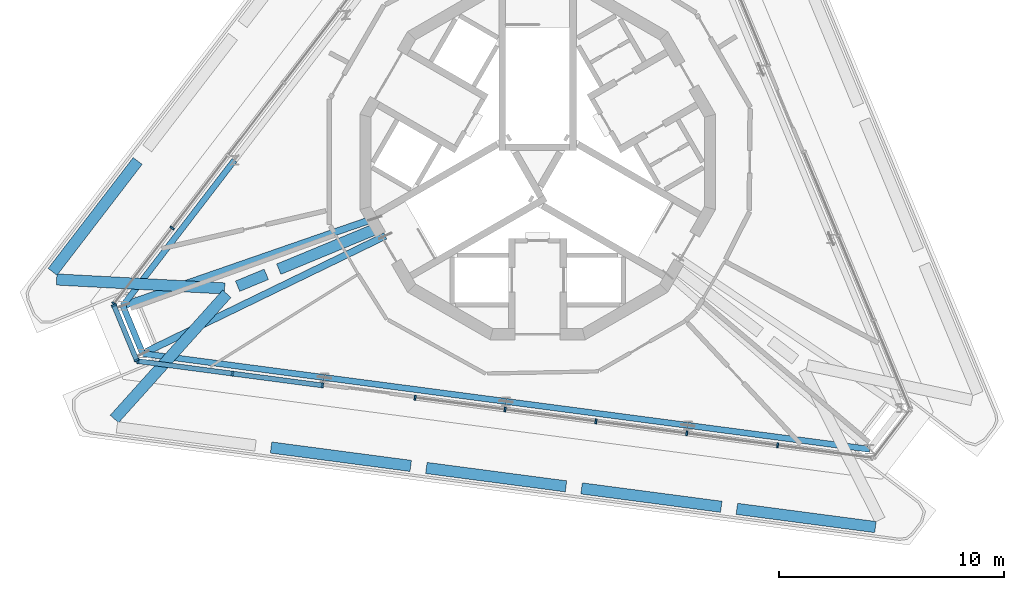
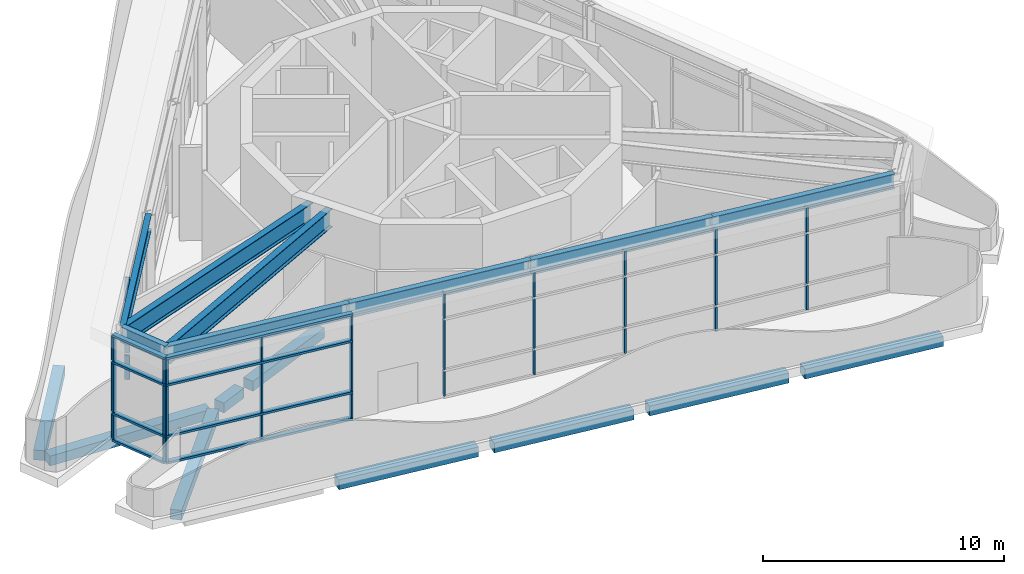
# One storey, part 2 of 10: 44 members, 17 beams, 4 elements without a shape of their own.
"""IFC4 building model written with IfcOpenShell, lengths in metres."""

from ifc_helpers import new_model, si_unit, direction, frame, origin, origin_2d, place, context, subcontext, project, spatial, rectangle, i_section, extrude, material, layer, layer_set, material_profile, profile_set, type_object, element, aggregate, save


model = new_model("IFC4")

# Units and contexts
model_context = context("Model", 3, precision=1e-05, world=origin(), true_north=direction((0.0, 1.0)))
body_context = subcontext(model_context, "Body", "Model", "MODEL_VIEW")
ifc_project = project(units=[si_unit("LENGTHUNIT", "METRE"), si_unit("AREAUNIT", "SQUARE_METRE"), si_unit("VOLUMEUNIT", "CUBIC_METRE"), si_unit("PLANEANGLEUNIT", "RADIAN"), si_unit("MASSUNIT", "GRAM", prefix="KILO")], contexts=[model_context])

# Site, building, storey
site_placement = place(None, origin())
site = spatial("IfcSite", under=ifc_project, at=site_placement, CompositionType="ELEMENT")
building_placement = place(site_placement, origin())
building = spatial("IfcBuilding", under=site, at=building_placement, Name="Trine Commons Tower", CompositionType="ELEMENT")
storey_placement = place(building_placement, frame((0.0, 0.0, 300.60009765625)))
storey = spatial("IfcBuildingStorey", under=building, at=storey_placement, Name="CROWN", CompositionType="ELEMENT", Elevation=300.60009765625)

# Curtain wall, members
ifc_material_1 = material(Name="Crown drum glazing: anodised aluminium frame with low-emissivity double glazed unit, fritted", Category="aluminium")
ifc_layer = layer(ifc_material_1, 0.219970703125)
ifc_layer_set = layer_set([ifc_layer], Name="Crown drum glazing: anodised aluminium frame with low-emissivity double glazed unit, fritted")
curtain_wall_type = type_object("IfcCurtainWallType", Name="Crown drum glazing curtain wall CW6", PredefinedType="NOTDEFINED", material=ifc_layer_set)
curtain_wall_1_placement = place(storey_placement, origin())
curtain_wall_1 = element("IfcCurtainWall", 1, at=curtain_wall_1_placement, inside=storey, type_object=curtain_wall_type, Name="Crown drum glazing D1.1", PredefinedType="NOTDEFINED")
ifc_material_2 = material(Name="Anodised aluminium, natural finish", Category="aluminium")
ifc_material_profile_1 = material_profile(ifc_material_2, rectangle(XDim=0.219970703125, YDim=0.080078125, at=origin_2d()), Name="Mullion 80x220")
ifc_profile_set_1 = profile_set([ifc_material_profile_1], Name="Anodised aluminium, natural finish")
member_type_1 = type_object("IfcMemberType", Name="Mullion 80x220, Anodised aluminium, natural finish", PredefinedType="MULLION", material=ifc_profile_set_1)
member_1_placement = place(storey_placement, frame((62.19970703125, 53.63037109375, 0.10986328125), z_axis=(0.0, 0.0, 1.0), x_axis=(0.13052619222, 0.991444861374, 0.0)))
member_1 = element("IfcMember", 2, at=member_1_placement, type_object=member_type_1, Name="CW6 mullion 1.1", PredefinedType="MULLION", context=body_context, shape_type="SweptSolid", body=[
    extrude(rectangle(XDim=0.219970703125, YDim=0.080078125, at=origin_2d()), origin(), (0.0, 0.0, 1.0), 1.235107421875),
])
member_2_placement = place(storey_placement, frame((62.19970703125, 53.63037109375, 1.454833984375), z_axis=(0.0, 0.0, 1.0), x_axis=(0.13052619222, 0.991444861374, 0.0)))
member_2 = element("IfcMember", 3, at=member_2_placement, type_object=member_type_1, Name="CW6 mullion 1.2", PredefinedType="MULLION", context=body_context, shape_type="SweptSolid", body=[
    extrude(rectangle(XDim=0.219970703125, YDim=0.080078125, at=origin_2d()), origin(), (0.0, 0.0, 1.0), 2.489990234375),
])
member_3_placement = place(storey_placement, frame((62.19970703125, 53.63037109375, 4.054931640625), z_axis=(0.0, 0.0, 1.0), x_axis=(0.13052619222, 0.991444861374, 0.0)))
member_3 = element("IfcMember", 4, at=member_3_placement, type_object=member_type_1, Name="CW6 mullion 1.3", PredefinedType="MULLION", context=body_context, shape_type="SweptSolid", body=[
    extrude(rectangle(XDim=0.219970703125, YDim=0.080078125, at=origin_2d()), origin(), (0.0, 0.0, 1.0), 1.23486328125),
])
member_4_placement = place(storey_placement, frame((66.411865234375, 53.075927734375, 0.10986328125), z_axis=(0.0, 0.0, 1.0), x_axis=(0.13052619222, 0.991444861374, 0.0)))
member_4 = element("IfcMember", 5, at=member_4_placement, type_object=member_type_1, Name="CW6 mullion 2.1", PredefinedType="MULLION", context=body_context, shape_type="SweptSolid", body=[
    extrude(rectangle(XDim=0.219970703125, YDim=0.080078125, at=origin_2d()), origin(), (0.0, 0.0, 1.0), 1.235107421875),
])
member_5_placement = place(storey_placement, frame((66.411865234375, 53.075927734375, 1.454833984375), z_axis=(0.0, 0.0, 1.0), x_axis=(0.13052619222, 0.991444861374, 0.0)))
member_5 = element("IfcMember", 6, at=member_5_placement, type_object=member_type_1, Name="CW6 mullion 2.2", PredefinedType="MULLION", context=body_context, shape_type="SweptSolid", body=[
    extrude(rectangle(XDim=0.219970703125, YDim=0.080078125, at=origin_2d()), origin(), (0.0, 0.0, 1.0), 2.489990234375),
])
member_6_placement = place(storey_placement, frame((66.411865234375, 53.075927734375, 4.054931640625), z_axis=(0.0, 0.0, 1.0), x_axis=(0.13052619222, 0.991444861374, 0.0)))
member_6 = element("IfcMember", 7, at=member_6_placement, type_object=member_type_1, Name="CW6 mullion 2.3", PredefinedType="MULLION", context=body_context, shape_type="SweptSolid", body=[
    extrude(rectangle(XDim=0.219970703125, YDim=0.080078125, at=origin_2d()), origin(), (0.0, 0.0, 1.0), 1.23486328125),
])
member_7_placement = place(storey_placement, frame((70.41796875, 52.548583984375, 0.10986328125), z_axis=(0.0, 0.0, 1.0), x_axis=(0.13052619222, 0.991444861374, 0.0)))
member_7 = element("IfcMember", 8, at=member_7_placement, type_object=member_type_1, Name="CW6 mullion 3.1", PredefinedType="MULLION", context=body_context, shape_type="SweptSolid", body=[
    extrude(rectangle(XDim=0.219970703125, YDim=0.080078125, at=origin_2d()), origin(), (0.0, 0.0, 1.0), 1.235107421875),
])
member_8_placement = place(storey_placement, frame((70.41796875, 52.548583984375, 1.454833984375), z_axis=(0.0, 0.0, 1.0), x_axis=(0.13052619222, 0.991444861374, 0.0)))
member_8 = element("IfcMember", 9, at=member_8_placement, type_object=member_type_1, Name="CW6 mullion 3.2", PredefinedType="MULLION", context=body_context, shape_type="SweptSolid", body=[
    extrude(rectangle(XDim=0.219970703125, YDim=0.080078125, at=origin_2d()), origin(), (0.0, 0.0, 1.0), 2.489990234375),
])
member_9_placement = place(storey_placement, frame((70.41796875, 52.548583984375, 4.054931640625), z_axis=(0.0, 0.0, 1.0), x_axis=(0.13052619222, 0.991444861374, 0.0)))
member_9 = element("IfcMember", 10, at=member_9_placement, type_object=member_type_1, Name="CW6 mullion 3.3", PredefinedType="MULLION", context=body_context, shape_type="SweptSolid", body=[
    extrude(rectangle(XDim=0.219970703125, YDim=0.080078125, at=origin_2d()), origin(), (0.0, 0.0, 1.0), 1.23486328125),
])

curtain_wall_2_placement = place(storey_placement, origin())
curtain_wall_2 = element("IfcCurtainWall", 11, at=curtain_wall_2_placement, inside=storey, type_object=curtain_wall_type, Name="Crown drum glazing D1.2", PredefinedType="NOTDEFINED")
member_10_placement = place(storey_placement, frame((74.54296875, 52.00537109375, 0.10986328125), z_axis=(0.0, 0.0, 1.0), x_axis=(0.13052619222, 0.991444861374, 0.0)))
member_10 = element("IfcMember", 12, at=member_10_placement, type_object=member_type_1, Name="CW6 mullion 1.1", PredefinedType="MULLION", context=body_context, shape_type="SweptSolid", body=[
    extrude(rectangle(XDim=0.219970703125, YDim=0.080078125, at=origin_2d()), origin(), (0.0, 0.0, 1.0), 1.235107421875),
])
member_11_placement = place(storey_placement, frame((74.54296875, 52.00537109375, 1.454833984375), z_axis=(0.0, 0.0, 1.0), x_axis=(0.13052619222, 0.991444861374, 0.0)))
member_11 = element("IfcMember", 13, at=member_11_placement, type_object=member_type_1, Name="CW6 mullion 1.2", PredefinedType="MULLION", context=body_context, shape_type="SweptSolid", body=[
    extrude(rectangle(XDim=0.219970703125, YDim=0.080078125, at=origin_2d()), origin(), (0.0, 0.0, 1.0), 2.489990234375),
])
member_12_placement = place(storey_placement, frame((74.54296875, 52.00537109375, 4.054931640625), z_axis=(0.0, 0.0, 1.0), x_axis=(0.13052619222, 0.991444861374, 0.0)))
member_12 = element("IfcMember", 14, at=member_12_placement, type_object=member_type_1, Name="CW6 mullion 1.3", PredefinedType="MULLION", context=body_context, shape_type="SweptSolid", body=[
    extrude(rectangle(XDim=0.219970703125, YDim=0.080078125, at=origin_2d()), origin(), (0.0, 0.0, 1.0), 1.23486328125),
])
member_13_placement = place(storey_placement, frame((78.548828125, 51.47802734375, 0.10986328125), z_axis=(0.0, 0.0, 1.0), x_axis=(0.13052619222, 0.991444861374, 0.0)))
member_13 = element("IfcMember", 15, at=member_13_placement, type_object=member_type_1, Name="CW6 mullion 2.1", PredefinedType="MULLION", context=body_context, shape_type="SweptSolid", body=[
    extrude(rectangle(XDim=0.219970703125, YDim=0.080078125, at=origin_2d()), origin(), (0.0, 0.0, 1.0), 1.235107421875),
])
member_14_placement = place(storey_placement, frame((78.548828125, 51.47802734375, 1.454833984375), z_axis=(0.0, 0.0, 1.0), x_axis=(0.13052619222, 0.991444861374, 0.0)))
member_14 = element("IfcMember", 16, at=member_14_placement, type_object=member_type_1, Name="CW6 mullion 2.2", PredefinedType="MULLION", context=body_context, shape_type="SweptSolid", body=[
    extrude(rectangle(XDim=0.219970703125, YDim=0.080078125, at=origin_2d()), origin(), (0.0, 0.0, 1.0), 2.489990234375),
])
member_15_placement = place(storey_placement, frame((78.548828125, 51.47802734375, 4.054931640625), z_axis=(0.0, 0.0, 1.0), x_axis=(0.13052619222, 0.991444861374, 0.0)))
member_15 = element("IfcMember", 17, at=member_15_placement, type_object=member_type_1, Name="CW6 mullion 2.3", PredefinedType="MULLION", context=body_context, shape_type="SweptSolid", body=[
    extrude(rectangle(XDim=0.219970703125, YDim=0.080078125, at=origin_2d()), origin(), (0.0, 0.0, 1.0), 1.23486328125),
])
member_16_placement = place(storey_placement, frame((82.594482421875, 50.9453125, 0.10986328125), z_axis=(0.0, 0.0, 1.0), x_axis=(0.13052619222, 0.991444861374, 0.0)))
member_16 = element("IfcMember", 18, at=member_16_placement, type_object=member_type_1, Name="CW6 mullion 3.1", PredefinedType="MULLION", context=body_context, shape_type="SweptSolid", body=[
    extrude(rectangle(XDim=0.219970703125, YDim=0.080078125, at=origin_2d()), origin(), (0.0, 0.0, 1.0), 1.235107421875),
])
member_17_placement = place(storey_placement, frame((82.594482421875, 50.9453125, 1.454833984375), z_axis=(0.0, 0.0, 1.0), x_axis=(0.13052619222, 0.991444861374, 0.0)))
member_17 = element("IfcMember", 19, at=member_17_placement, type_object=member_type_1, Name="CW6 mullion 3.2", PredefinedType="MULLION", context=body_context, shape_type="SweptSolid", body=[
    extrude(rectangle(XDim=0.219970703125, YDim=0.080078125, at=origin_2d()), origin(), (0.0, 0.0, 1.0), 2.489990234375),
])
member_18_placement = place(storey_placement, frame((82.594482421875, 50.9453125, 4.054931640625), z_axis=(0.0, 0.0, 1.0), x_axis=(0.13052619222, 0.991444861374, 0.0)))
member_18 = element("IfcMember", 20, at=member_18_placement, type_object=member_type_1, Name="CW6 mullion 3.3", PredefinedType="MULLION", context=body_context, shape_type="SweptSolid", body=[
    extrude(rectangle(XDim=0.219970703125, YDim=0.080078125, at=origin_2d()), origin(), (0.0, 0.0, 1.0), 1.23486328125),
])
member_19_placement = place(storey_placement, frame((86.640380859375, 50.412841796875, 0.10986328125), z_axis=(0.0, 0.0, 1.0), x_axis=(0.13052619222, 0.991444861374, 0.0)))
member_19 = element("IfcMember", 21, at=member_19_placement, type_object=member_type_1, Name="CW6 mullion 4.1", PredefinedType="MULLION", context=body_context, shape_type="SweptSolid", body=[
    extrude(rectangle(XDim=0.219970703125, YDim=0.080078125, at=origin_2d()), origin(), (0.0, 0.0, 1.0), 1.235107421875),
])
member_20_placement = place(storey_placement, frame((86.640380859375, 50.412841796875, 1.454833984375), z_axis=(0.0, 0.0, 1.0), x_axis=(0.13052619222, 0.991444861374, 0.0)))
member_20 = element("IfcMember", 22, at=member_20_placement, type_object=member_type_1, Name="CW6 mullion 4.2", PredefinedType="MULLION", context=body_context, shape_type="SweptSolid", body=[
    extrude(rectangle(XDim=0.219970703125, YDim=0.080078125, at=origin_2d()), origin(), (0.0, 0.0, 1.0), 2.489990234375),
])
member_21_placement = place(storey_placement, frame((86.640380859375, 50.412841796875, 4.054931640625), z_axis=(0.0, 0.0, 1.0), x_axis=(0.13052619222, 0.991444861374, 0.0)))
member_21 = element("IfcMember", 23, at=member_21_placement, type_object=member_type_1, Name="CW6 mullion 4.3", PredefinedType="MULLION", context=body_context, shape_type="SweptSolid", body=[
    extrude(rectangle(XDim=0.219970703125, YDim=0.080078125, at=origin_2d()), origin(), (0.0, 0.0, 1.0), 1.23486328125),
])
member_22_placement = place(storey_placement, frame((90.68603515625, 49.880126953125, 0.10986328125), z_axis=(0.0, 0.0, 1.0), x_axis=(0.13052619222, 0.991444861374, 0.0)))
member_22 = element("IfcMember", 24, at=member_22_placement, type_object=member_type_1, Name="CW6 mullion 5.1", PredefinedType="MULLION", context=body_context, shape_type="SweptSolid", body=[
    extrude(rectangle(XDim=0.219970703125, YDim=0.080078125, at=origin_2d()), origin(), (0.0, 0.0, 1.0), 1.235107421875),
])
member_23_placement = place(storey_placement, frame((90.68603515625, 49.880126953125, 1.454833984375), z_axis=(0.0, 0.0, 1.0), x_axis=(0.13052619222, 0.991444861374, 0.0)))
member_23 = element("IfcMember", 25, at=member_23_placement, type_object=member_type_1, Name="CW6 mullion 5.2", PredefinedType="MULLION", context=body_context, shape_type="SweptSolid", body=[
    extrude(rectangle(XDim=0.219970703125, YDim=0.080078125, at=origin_2d()), origin(), (0.0, 0.0, 1.0), 2.489990234375),
])
member_24_placement = place(storey_placement, frame((90.68603515625, 49.880126953125, 4.054931640625), z_axis=(0.0, 0.0, 1.0), x_axis=(0.13052619222, 0.991444861374, 0.0)))
member_24 = element("IfcMember", 26, at=member_24_placement, type_object=member_type_1, Name="CW6 mullion 5.3", PredefinedType="MULLION", context=body_context, shape_type="SweptSolid", body=[
    extrude(rectangle(XDim=0.219970703125, YDim=0.080078125, at=origin_2d()), origin(), (0.0, 0.0, 1.0), 1.23486328125),
])
aggregate(curtain_wall_2, [member_10, member_11, member_12, member_13, member_14, member_15, member_16, member_17, member_18, member_19, member_20, member_21, member_22, member_23, member_24])

curtain_wall_3_placement = place(storey_placement, origin())
curtain_wall_3 = element("IfcCurtainWall", 27, at=curtain_wall_3_placement, inside=storey, type_object=curtain_wall_type, Name="Crown drum glazing D5.2", PredefinedType="NOTDEFINED")
member_25_placement = place(storey_placement, frame((63.727783203125, 59.5556640625, 0.10986328125), z_axis=(0.0, 0.0, 1.0), x_axis=(0.793353340291, -0.608761429009, 0.0)))
member_25 = element("IfcMember", 28, at=member_25_placement, type_object=member_type_1, Name="CW6 mullion 5.1", PredefinedType="MULLION", context=body_context, shape_type="SweptSolid", body=[
    extrude(rectangle(XDim=0.219970703125, YDim=0.080078125, at=origin_2d()), origin(), (0.0, 0.0, 1.0), 1.235107421875),
])
member_26_placement = place(storey_placement, frame((63.727783203125, 59.5556640625, 1.454833984375), z_axis=(0.0, 0.0, 1.0), x_axis=(0.793353340291, -0.608761429009, 0.0)))
member_26 = element("IfcMember", 29, at=member_26_placement, type_object=member_type_1, Name="CW6 mullion 5.2", PredefinedType="MULLION", context=body_context, shape_type="SweptSolid", body=[
    extrude(rectangle(XDim=0.219970703125, YDim=0.080078125, at=origin_2d()), origin(), (0.0, 0.0, 1.0), 2.489990234375),
])
member_27_placement = place(storey_placement, frame((63.727783203125, 59.5556640625, 4.054931640625), z_axis=(0.0, 0.0, 1.0), x_axis=(0.793353340291, -0.608761429009, 0.0)))
member_27 = element("IfcMember", 30, at=member_27_placement, type_object=member_type_1, Name="CW6 mullion 5.3", PredefinedType="MULLION", context=body_context, shape_type="SweptSolid", body=[
    extrude(rectangle(XDim=0.219970703125, YDim=0.080078125, at=origin_2d()), origin(), (0.0, 0.0, 1.0), 1.23486328125),
])
member_28_placement = place(storey_placement, frame((61.1416015625, 56.18505859375, 0.10986328125), z_axis=(0.0, 0.0, 1.0), x_axis=(0.793353340291, -0.608761429009, 0.0)))
member_28 = element("IfcMember", 31, at=member_28_placement, type_object=member_type_1, Name="CW6 mullion 6.1", PredefinedType="MULLION", context=body_context, shape_type="SweptSolid", body=[
    extrude(rectangle(XDim=0.219970703125, YDim=0.080078125, at=origin_2d()), origin(), (0.0, 0.0, 1.0), 1.235107421875),
])
member_29_placement = place(storey_placement, frame((61.1416015625, 56.18505859375, 1.454833984375), z_axis=(0.0, 0.0, 1.0), x_axis=(0.793353340291, -0.608761429009, 0.0)))
member_29 = element("IfcMember", 32, at=member_29_placement, type_object=member_type_1, Name="CW6 mullion 6.2", PredefinedType="MULLION", context=body_context, shape_type="SweptSolid", body=[
    extrude(rectangle(XDim=0.219970703125, YDim=0.080078125, at=origin_2d()), origin(), (0.0, 0.0, 1.0), 2.489990234375),
])
member_30_placement = place(storey_placement, frame((61.1416015625, 56.18505859375, 4.054931640625), z_axis=(0.0, 0.0, 1.0), x_axis=(0.793353340291, -0.608761429009, 0.0)))
member_30 = element("IfcMember", 33, at=member_30_placement, type_object=member_type_1, Name="CW6 mullion 6.3", PredefinedType="MULLION", context=body_context, shape_type="SweptSolid", body=[
    extrude(rectangle(XDim=0.219970703125, YDim=0.080078125, at=origin_2d()), origin(), (0.0, 0.0, 1.0), 1.23486328125),
])
aggregate(curtain_wall_3, [member_25, member_26, member_27, member_28, member_29, member_30])

curtain_wall_4_placement = place(storey_placement, origin())
curtain_wall_4 = element("IfcCurtainWall", 34, at=curtain_wall_4_placement, inside=storey, type_object=curtain_wall_type, Name="Crown drum glazing D6.1", PredefinedType="NOTDEFINED")
member_31_placement = place(storey_placement, frame((61.132568359375, 56.116455078125, 0.10986328125), z_axis=(0.0, 0.0, 1.0), x_axis=(0.923879532511, 0.382683432365, 0.0)))
member_31 = element("IfcMember", 35, at=member_31_placement, type_object=member_type_1, Name="CW6 mullion 1.1", PredefinedType="MULLION", context=body_context, shape_type="SweptSolid", body=[
    extrude(rectangle(XDim=0.219970703125, YDim=0.080078125, at=origin_2d()), origin(), (0.0, 0.0, 1.0), 1.235107421875),
])
member_32_placement = place(storey_placement, frame((61.132568359375, 56.116455078125, 1.454833984375), z_axis=(0.0, 0.0, 1.0), x_axis=(0.923879532511, 0.382683432365, 0.0)))
member_32 = element("IfcMember", 36, at=member_32_placement, type_object=member_type_1, Name="CW6 mullion 1.2", PredefinedType="MULLION", context=body_context, shape_type="SweptSolid", body=[
    extrude(rectangle(XDim=0.219970703125, YDim=0.080078125, at=origin_2d()), origin(), (0.0, 0.0, 1.0), 2.489990234375),
])
member_33_placement = place(storey_placement, frame((61.132568359375, 56.116455078125, 4.054931640625), z_axis=(0.0, 0.0, 1.0), x_axis=(0.923879532511, 0.382683432365, 0.0)))
member_33 = element("IfcMember", 37, at=member_33_placement, type_object=member_type_1, Name="CW6 mullion 1.3", PredefinedType="MULLION", context=body_context, shape_type="SweptSolid", body=[
    extrude(rectangle(XDim=0.219970703125, YDim=0.080078125, at=origin_2d()), origin(), (0.0, 0.0, 1.0), 1.23486328125),
])
member_34_placement = place(storey_placement, frame((62.144775390625, 53.672607421875, 0.10986328125), z_axis=(0.0, 0.0, 1.0), x_axis=(0.923879532511, 0.382683432365, 0.0)))
member_34 = element("IfcMember", 38, at=member_34_placement, type_object=member_type_1, Name="CW6 mullion 2.1", PredefinedType="MULLION", context=body_context, shape_type="SweptSolid", body=[
    extrude(rectangle(XDim=0.219970703125, YDim=0.080078125, at=origin_2d()), origin(), (0.0, 0.0, 1.0), 1.235107421875),
])
member_35_placement = place(storey_placement, frame((62.144775390625, 53.672607421875, 1.454833984375), z_axis=(0.0, 0.0, 1.0), x_axis=(0.923879532511, 0.382683432365, 0.0)))
member_35 = element("IfcMember", 39, at=member_35_placement, type_object=member_type_1, Name="CW6 mullion 2.2", PredefinedType="MULLION", context=body_context, shape_type="SweptSolid", body=[
    extrude(rectangle(XDim=0.219970703125, YDim=0.080078125, at=origin_2d()), origin(), (0.0, 0.0, 1.0), 2.489990234375),
])
member_36_placement = place(storey_placement, frame((62.144775390625, 53.672607421875, 4.054931640625), z_axis=(0.0, 0.0, 1.0), x_axis=(0.923879532511, 0.382683432365, 0.0)))
member_36 = element("IfcMember", 40, at=member_36_placement, type_object=member_type_1, Name="CW6 mullion 2.3", PredefinedType="MULLION", context=body_context, shape_type="SweptSolid", body=[
    extrude(rectangle(XDim=0.219970703125, YDim=0.080078125, at=origin_2d()), origin(), (0.0, 0.0, 1.0), 1.23486328125),
])

# Beams
ifc_material_3 = material(Name="Concrete C40/50", Category="concrete")
ifc_material_profile_2 = material_profile(ifc_material_3, rectangle(XDim=0.5, YDim=0.5, at=origin_2d()), Name="RC 500x500")
ifc_profile_set_2 = profile_set([ifc_material_profile_2], Name="Concrete C40/50")
beam_type_1 = type_object("IfcBeamType", Name="RC beam 500x500, C40/50", PredefinedType="BEAM", material=ifc_profile_set_2)
beam_1_placement = place(storey_placement, frame((95.0380859375, 46.240966796875, -0.7001953125), z_axis=(-0.991444143506, 0.130531644853, 0.0), x_axis=(-0.130531644853, -0.991444143506, 0.0)))
element("IfcBeam", 41, at=beam_1_placement, inside=storey, type_object=beam_type_1, Name="Beam EB8-01 CROWN", PredefinedType="BEAM", context=body_context, shape_type="SweptSolid", body=[
    extrude(rectangle(XDim=0.5, YDim=0.5, at=origin_2d()), origin(), (0.0, 0.0, 1.0), 6.22265625),
])
beam_2_placement = place(storey_placement, frame((88.1748046875, 47.14453125, -0.7001953125), z_axis=(-0.9914427663, 0.130542104902, 0.0), x_axis=(-0.130542104902, -0.9914427663, 0.0)))
element("IfcBeam", 42, at=beam_2_placement, inside=storey, type_object=beam_type_1, Name="Beam EB8-02 CROWN", PredefinedType="BEAM", context=body_context, shape_type="SweptSolid", body=[
    extrude(rectangle(XDim=0.5, YDim=0.5, at=origin_2d()), origin(), (0.0, 0.0, 1.0), 6.272705078125),
])
for number, where, z_axis, x_axis, name in (
    (43, (81.26171875, 48.0546875, -0.7001953125), (-0.991448465824, 0.130498810784, 0.0), (-0.130498810784, -0.991448465824, 0.0), "Beam EB8-03 CROWN"),
    (44, (74.3486328125, 48.96484375, -0.7001953125), (-0.991448465824, 0.130498810784, 0.0), (-0.130498810784, -0.991448465824, 0.0), "Beam EB8-04 CROWN"),
):
    element("IfcBeam", number, at=place(storey_placement, frame(where, z_axis=z_axis, x_axis=x_axis)), inside=storey, type_object=beam_type_1, Name=name, PredefinedType="BEAM", context=body_context, shape_type="SweptSolid", body=[
        extrude(rectangle(XDim=0.5, YDim=0.5, at=origin_2d()), origin(), (0.0, 0.0, 1.0), 6.27294921875),
    ])
beam_3_placement = place(storey_placement, frame((58.400146484375, 57.60595703125, -0.7001953125), z_axis=(0.60875848978, 0.793355595632, 0.0), x_axis=(-0.793355595632, 0.60875848978, 0.0)))
element("IfcBeam", 45, at=beam_3_placement, inside=storey, type_object=beam_type_1, Name="Beam EB8-06 CROWN", PredefinedType="BEAM", context=body_context, shape_type="SweptSolid", body=[
    extrude(rectangle(XDim=0.5, YDim=0.5, at=origin_2d()), origin(), (0.0, 0.0, 1.0), 6.22265625),
])
beam_4_placement = place(storey_placement, frame((61.1533203125, 51.054931640625, -0.7001953125), z_axis=(0.668383038107, 0.743817258721, 0.0), x_axis=(-0.743817258721, 0.668383038107, 0.0)))
element("IfcBeam", 46, at=beam_4_placement, inside=storey, type_object=beam_type_1, Name="Beam CB8-01 CROWN", PredefinedType="BEAM", context=body_context, shape_type="SweptSolid", body=[
    extrude(rectangle(XDim=0.5, YDim=0.5, at=origin_2d()), origin(), (0.0, 0.0, 1.0), 7.492431640625),
])
beam_5_placement = place(storey_placement, frame((58.580322265625, 57.26611328125, -0.7001953125), z_axis=(0.998578123195, -0.053307896938, 0.0), x_axis=(0.053307896938, 0.998578123195, 0.0)))
element("IfcBeam", 47, at=beam_5_placement, inside=storey, type_object=beam_type_1, Name="Beam CB8-02 CROWN", PredefinedType="BEAM", context=body_context, shape_type="SweptSolid", body=[
    extrude(rectangle(XDim=0.5, YDim=0.5, at=origin_2d()), origin(), (0.0, 0.0, 1.0), 7.49267578125),
])
beam_6_placement = place(storey_placement, frame((72.98876953125, 59.595703125, -0.7001953125), z_axis=(-0.923885978684, -0.382667869556, 0.0), x_axis=(0.382667869556, -0.923885978684, 0.0)))
element("IfcBeam", 48, at=beam_6_placement, inside=storey, type_object=beam_type_1, Name="Beam RB8-05 CROWN", PredefinedType="BEAM", context=body_context, shape_type="SweptSolid", body=[
    extrude(rectangle(XDim=0.5, YDim=0.5, at=origin_2d()), origin(), (0.0, 0.0, 1.0), 4.888916015625),
])
beam_7_placement = place(storey_placement, frame((67.91748046875, 57.495361328125, -0.7001953125), z_axis=(-0.923857745483, -0.38273602667, 0.0), x_axis=(0.38273602667, -0.923857745483, 0.0)))
element("IfcBeam", 49, at=beam_7_placement, inside=storey, type_object=beam_type_1, Name="Beam RB8-06 CROWN", PredefinedType="BEAM", context=body_context, shape_type="SweptSolid", body=[
    extrude(rectangle(XDim=0.5, YDim=0.5, at=origin_2d()), origin(), (0.0, 0.0, 1.0), 1.38427734375),
])
ifc_material_4 = material(Name="Structural steel ASTM A992 Gr50", Category="steel")
ifc_material_profile_3 = material_profile(ifc_material_4, i_section(OverallWidth=0.2666015625, OverallDepth=0.7587890625, WebThickness=0.013916015625, FlangeThickness=0.019287109375, FilletRadius=0.0166015625, at=origin_2d()), Name="W30X108")
ifc_profile_set_3 = profile_set([ifc_material_profile_3], Name="Structural steel ASTM A992 Gr50")
beam_type_2 = type_object("IfcBeamType", Name="Steel beam W30X108, ASTM A992 Gr50", PredefinedType="BEAM", material=ifc_profile_set_3)
beam_8_placement = place(storey_placement, frame((62.4130859375, 53.965576171875, 5.320556640625), z_axis=(-0.382700367696, 0.923872517486, 0.0), x_axis=(-0.923872517486, -0.382700367696, 0.0)))
element("IfcBeam", 50, at=beam_8_placement, inside=storey, type_object=beam_type_2, Name="Crown beam CR-01", PredefinedType="BEAM", context=body_context, shape_type="SweptSolid", body=[
    extrude(i_section(OverallWidth=0.2666015625, OverallDepth=0.7587890625, WebThickness=0.013916015625, FlangeThickness=0.019287109375, FilletRadius=0.0166015625, at=origin_2d()), origin(), (0.0, 0.0, 1.0), 2.309326171875),
])
beam_9_placement = place(storey_placement, frame((61.529296875, 56.09912109375, 5.320556640625), z_axis=(0.60877062267, 0.793346285662, 0.0), x_axis=(-0.793346285662, 0.60877062267, 0.0)))
element("IfcBeam", 51, at=beam_9_placement, inside=storey, type_object=beam_type_2, Name="Crown beam CR-02", PredefinedType="BEAM", context=body_context, shape_type="SweptSolid", body=[
    extrude(i_section(OverallWidth=0.2666015625, OverallDepth=0.7587890625, WebThickness=0.013916015625, FlangeThickness=0.019287109375, FilletRadius=0.0166015625, at=origin_2d()), origin(), (0.0, 0.0, 1.0), 8.1611328125),
])
beam_10_placement = place(storey_placement, frame((94.77880859375, 49.70458984375, 5.320556640625), z_axis=(-0.991446250017, 0.130515643992, 0.0), x_axis=(-0.130515643992, -0.991446250017, 0.0)))
element("IfcBeam", 52, at=beam_10_placement, inside=storey, type_object=beam_type_2, Name="Crown beam CR-12", PredefinedType="BEAM", context=body_context, shape_type="SweptSolid", body=[
    extrude(i_section(OverallWidth=0.2666015625, OverallDepth=0.7587890625, WebThickness=0.013916015625, FlangeThickness=0.019287109375, FilletRadius=0.0166015625, at=origin_2d()), origin(), (0.0, 0.0, 1.0), 8.161376953125),
])
beam_11_placement = place(storey_placement, frame((86.687255859375, 50.769775390625, 5.320556640625), z_axis=(-0.991445740426, 0.13051951498, 0.0), x_axis=(-0.13051951498, -0.991445740426, 0.0)))
element("IfcBeam", 53, at=beam_11_placement, inside=storey, type_object=beam_type_2, Name="Crown beam CR-13", PredefinedType="BEAM", context=body_context, shape_type="SweptSolid", body=[
    extrude(i_section(OverallWidth=0.2666015625, OverallDepth=0.7587890625, WebThickness=0.013916015625, FlangeThickness=0.019287109375, FilletRadius=0.0166015625, at=origin_2d()), origin(), (0.0, 0.0, 1.0), 8.1611328125),
])
beam_12_placement = place(storey_placement, frame((78.595947265625, 51.8349609375, 5.320556640625), z_axis=(-0.991446250017, 0.130515643992, 0.0), x_axis=(-0.130515643992, -0.991446250017, 0.0)))
element("IfcBeam", 54, at=beam_12_placement, inside=storey, type_object=beam_type_2, Name="Crown beam CR-14", PredefinedType="BEAM", context=body_context, shape_type="SweptSolid", body=[
    extrude(i_section(OverallWidth=0.2666015625, OverallDepth=0.7587890625, WebThickness=0.013916015625, FlangeThickness=0.019287109375, FilletRadius=0.0166015625, at=origin_2d()), origin(), (0.0, 0.0, 1.0), 8.161376953125),
])
beam_13_placement = place(storey_placement, frame((70.50439453125, 52.900146484375, 5.320556640625), z_axis=(-0.991441868903, 0.130548920279, 0.0), x_axis=(-0.130548920279, -0.991441868903, 0.0)))
element("IfcBeam", 55, at=beam_13_placement, inside=storey, type_object=beam_type_2, Name="Crown beam CR-15", PredefinedType="BEAM", context=body_context, shape_type="SweptSolid", body=[
    extrude(i_section(OverallWidth=0.2666015625, OverallDepth=0.7587890625, WebThickness=0.013916015625, FlangeThickness=0.019287109375, FilletRadius=0.0166015625, at=origin_2d()), origin(), (0.0, 0.0, 1.0), 8.1611328125),
])
ifc_material_profile_4 = material_profile(ifc_material_4, i_section(OverallWidth=0.30810546875, OverallDepth=0.927001953125, WebThickness=0.019287109375, FlangeThickness=0.031982421875, FilletRadius=0.01904296875, at=origin_2d()), Name="W36X194")
ifc_profile_set_4 = profile_set([ifc_material_profile_4], Name="Structural steel ASTM A992 Gr50")
beam_type_3 = type_object("IfcBeamType", Name="Steel beam W36X194, ASTM A992 Gr50", PredefinedType="BEAM", material=ifc_profile_set_4)
beam_14_placement = place(storey_placement, frame((73.215576171875, 59.207763671875, 5.236328125), z_axis=(-0.899663122374, -0.436584775547, 0.0), x_axis=(0.436584775547, -0.899663122374, 0.0)))
element("IfcBeam", 56, at=beam_14_placement, inside=storey, type_object=beam_type_3, Name="Crown girder CG-01", PredefinedType="BEAM", context=body_context, shape_type="SweptSolid", body=[
    extrude(i_section(OverallWidth=0.30810546875, OverallDepth=0.927001953125, WebThickness=0.019287109375, FlangeThickness=0.031982421875, FilletRadius=0.01904296875, at=origin_2d()), origin(), (0.0, 0.0, 1.0), 12.00732421875),
])
beam_15_placement = place(storey_placement, frame((72.7568359375, 59.989990234375, 5.236328125), z_axis=(-0.944871207123, -0.327442211619, 0.0), x_axis=(0.327442211619, -0.944871207123, 0.0)))
element("IfcBeam", 57, at=beam_15_placement, inside=storey, type_object=beam_type_3, Name="Crown girder CG-02", PredefinedType="BEAM", context=body_context, shape_type="SweptSolid", body=[
    extrude(i_section(OverallWidth=0.30810546875, OverallDepth=0.927001953125, WebThickness=0.019287109375, FlangeThickness=0.031982421875, FilletRadius=0.01904296875, at=origin_2d()), origin(), (0.0, 0.0, 1.0), 11.882568359375),
])

# Member
ifc_material_profile_5 = material_profile(ifc_material_2, rectangle(XDim=0.219970703125, YDim=0.110107421875, at=origin_2d()), Name="Transom 110x220")
ifc_profile_set_5 = profile_set([ifc_material_profile_5], Name="Anodised aluminium, natural finish")
member_type_2 = type_object("IfcMemberType", Name="Transom 110x220, Anodised aluminium, natural finish", PredefinedType="USERDEFINED", material=ifc_profile_set_5)
member_37_placement = place(storey_placement, frame((62.16015625, 53.6357421875, 0.054931640625), z_axis=(0.991442376329, -0.130545066618, 0.0), x_axis=(0.130545066618, 0.991442376329, 0.0)))
member_37 = element("IfcMember", 58, at=member_37_placement, type_object=member_type_2, Name="CW6 transom T00", ObjectType="TRANSOM", PredefinedType="USERDEFINED", context=body_context, shape_type="SweptSolid", body=[
    extrude(rectangle(XDim=0.219970703125, YDim=0.110107421875, at=origin_2d()), origin(), (0.0, 0.0, 1.0), 8.368896484375),
])

member_38_placement = place(storey_placement, frame((62.16015625, 53.6357421875, 1.39990234375), z_axis=(0.991442376329, -0.130545066618, 0.0), x_axis=(0.130545066618, 0.991442376329, 0.0)))
member_38 = element("IfcMember", 59, at=member_38_placement, type_object=member_type_2, Name="CW6 transom T01", ObjectType="TRANSOM", PredefinedType="USERDEFINED", context=body_context, shape_type="SweptSolid", body=[
    extrude(rectangle(XDim=0.219970703125, YDim=0.110107421875, at=origin_2d()), origin(), (0.0, 0.0, 1.0), 8.368896484375),
])

member_39_placement = place(storey_placement, frame((62.16015625, 53.6357421875, 4.0), z_axis=(0.991442376329, -0.130545066618, 0.0), x_axis=(0.130545066618, 0.991442376329, 0.0)))
member_39 = element("IfcMember", 60, at=member_39_placement, type_object=member_type_2, Name="CW6 transom T02", ObjectType="TRANSOM", PredefinedType="USERDEFINED", context=body_context, shape_type="SweptSolid", body=[
    extrude(rectangle(XDim=0.219970703125, YDim=0.110107421875, at=origin_2d()), origin(), (0.0, 0.0, 1.0), 8.368896484375),
])

member_40_placement = place(storey_placement, frame((62.16015625, 53.6357421875, 5.344970703125), z_axis=(0.991442376329, -0.130545066618, 0.0), x_axis=(0.130545066618, 0.991442376329, 0.0)))
member_40 = element("IfcMember", 61, at=member_40_placement, type_object=member_type_2, Name="CW6 transom TH00", ObjectType="TRANSOM", PredefinedType="USERDEFINED", context=body_context, shape_type="SweptSolid", body=[
    extrude(rectangle(XDim=0.219970703125, YDim=0.110107421875, at=origin_2d()), origin(), (0.0, 0.0, 1.0), 8.368896484375),
])

aggregate(curtain_wall_1, [member_37, member_38, member_39, member_40, member_1, member_2, member_3, member_4, member_5, member_6, member_7, member_8, member_9])

member_41_placement = place(storey_placement, frame((61.1171875, 56.1533203125, 0.054931640625), z_axis=(0.382731588726, -0.923859584023, 0.0), x_axis=(0.923859584023, 0.382731588726, 0.0)))
member_41 = element("IfcMember", 62, at=member_41_placement, type_object=member_type_2, Name="CW6 transom T00", ObjectType="TRANSOM", PredefinedType="USERDEFINED", context=body_context, shape_type="SweptSolid", body=[
    extrude(rectangle(XDim=0.219970703125, YDim=0.110107421875, at=origin_2d()), origin(), (0.0, 0.0, 1.0), 2.72509765625),
])

member_42_placement = place(storey_placement, frame((61.1171875, 56.1533203125, 1.39990234375), z_axis=(0.382731588726, -0.923859584023, 0.0), x_axis=(0.923859584023, 0.382731588726, 0.0)))
member_42 = element("IfcMember", 63, at=member_42_placement, type_object=member_type_2, Name="CW6 transom T01", ObjectType="TRANSOM", PredefinedType="USERDEFINED", context=body_context, shape_type="SweptSolid", body=[
    extrude(rectangle(XDim=0.219970703125, YDim=0.110107421875, at=origin_2d()), origin(), (0.0, 0.0, 1.0), 2.72509765625),
])

member_43_placement = place(storey_placement, frame((61.1171875, 56.1533203125, 4.0), z_axis=(0.382731588726, -0.923859584023, 0.0), x_axis=(0.923859584023, 0.382731588726, 0.0)))
member_43 = element("IfcMember", 64, at=member_43_placement, type_object=member_type_2, Name="CW6 transom T02", ObjectType="TRANSOM", PredefinedType="USERDEFINED", context=body_context, shape_type="SweptSolid", body=[
    extrude(rectangle(XDim=0.219970703125, YDim=0.110107421875, at=origin_2d()), origin(), (0.0, 0.0, 1.0), 2.72509765625),
])

member_44_placement = place(storey_placement, frame((61.1171875, 56.1533203125, 5.344970703125), z_axis=(0.382731588726, -0.923859584023, 0.0), x_axis=(0.923859584023, 0.382731588726, 0.0)))
member_44 = element("IfcMember", 65, at=member_44_placement, type_object=member_type_2, Name="CW6 transom TH00", ObjectType="TRANSOM", PredefinedType="USERDEFINED", context=body_context, shape_type="SweptSolid", body=[
    extrude(rectangle(XDim=0.219970703125, YDim=0.110107421875, at=origin_2d()), origin(), (0.0, 0.0, 1.0), 2.72509765625),
])

aggregate(curtain_wall_4, [member_41, member_42, member_43, member_44, member_31, member_32, member_33, member_34, member_35, member_36])

save(model, "model.ifc")
